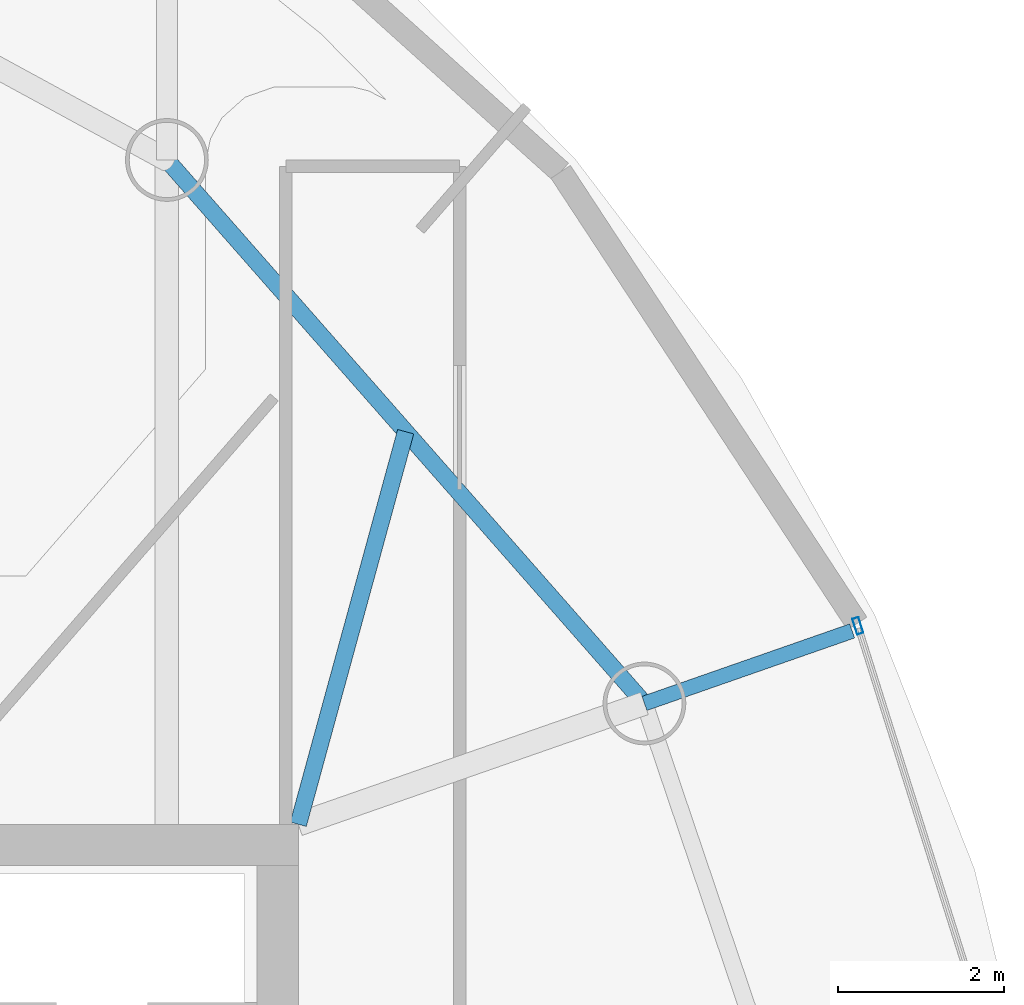
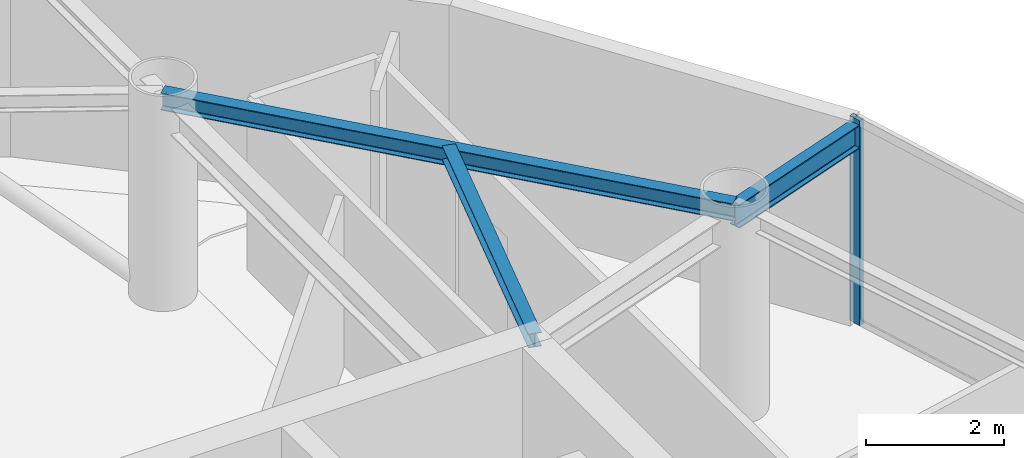
# One storey, part 12 of 19: 3 beams, 1 member, 1 element without a shape of its own.
"""IFC4 building model written with IfcOpenShell, lengths in metres."""

from ifc_helpers import new_model, si_unit, direction, frame, origin, origin_2d, place, context, subcontext, project, spatial, hollow_rectangle, i_section, extrude, material, layer, layer_set, material_profile, profile_set, type_object, element, aggregate, save


model = new_model("IFC4")

# Units and contexts
model_context = context("Model", 3, precision=1e-05, world=origin(), true_north=direction((0.0, 1.0)))
body_context = subcontext(model_context, "Body", "Model", "MODEL_VIEW")
ifc_project = project(units=[si_unit("LENGTHUNIT", "METRE"), si_unit("AREAUNIT", "SQUARE_METRE"), si_unit("VOLUMEUNIT", "CUBIC_METRE"), si_unit("PLANEANGLEUNIT", "RADIAN"), si_unit("MASSUNIT", "GRAM", prefix="KILO")], contexts=[model_context])

# Site, building, storey
site_placement = place(None, origin())
site = spatial("IfcSite", under=ifc_project, at=site_placement, CompositionType="ELEMENT")
building_placement = place(site_placement, origin())
building = spatial("IfcBuilding", under=site, at=building_placement, Name="Bramvorn Convention Spire", CompositionType="ELEMENT")
storey_placement = place(building_placement, frame((0.0, 0.0, 292.10009765625)))
storey = spatial("IfcBuildingStorey", under=building, at=storey_placement, Name="L74", CompositionType="ELEMENT", Elevation=292.10009765625)

# Beams
ifc_material_1 = material(Name="Steel CSA G40.21 Grade 350 (350W)", Category="steel")
ifc_material_profile_1 = material_profile(ifc_material_1, i_section(OverallWidth=0.201904296875, OverallDepth=0.2470703125, WebThickness=0.00732421875, FlangeThickness=0.010986328125, FilletRadius=0.011962890625, at=origin_2d()))
ifc_profile_set_1 = profile_set([ifc_material_profile_1], Name="Steel CSA G40.21 Grade 350 (350W) - W250X49")
beam_type_1 = type_object("IfcBeamType", Name="BM-W250X49", PredefinedType="JOIST", material=ifc_profile_set_1)
beam_1_placement = place(storey_placement, frame((49.25, 33.449951171875, 3.50146484375), z_axis=(0.26386506219, 0.96455960363, 0.0), x_axis=(-0.96455960363, 0.26386506219, 0.0)))
element("IfcBeam", 1, at=beam_1_placement, inside=storey, type_object=beam_type_1, Name="L74 composite floor joist 05", PredefinedType="JOIST", context=body_context, shape_type="SweptSolid", body=[
    extrude(i_section(OverallWidth=0.201904296875, OverallDepth=0.2470703125, WebThickness=0.00732421875, FlangeThickness=0.010986328125, FilletRadius=0.011962890625, at=origin_2d()), origin(), (0.0, 0.0, 1.0), 4.917724609375),
])
ifc_material_profile_2 = material_profile(ifc_material_1, i_section(OverallWidth=0.202880859375, OverallDepth=0.302978515625, WebThickness=0.007568359375, FlangeThickness=0.01318359375, FilletRadius=0.013916015625, at=origin_2d()))
ifc_profile_set_2 = profile_set([ifc_material_profile_2], Name="Steel CSA G40.21 Grade 350 (350W) - W310X60")
beam_type_2 = type_object("IfcBeamType", Name="BM-W310X60", PredefinedType="JOIST", material=ifc_profile_set_2)
beam_2_placement = place(storey_placement, frame((53.4326171875, 34.909912109375, 3.473388671875), z_axis=(-0.660073062339, 0.751201405999, 0.0), x_axis=(-0.751201405999, -0.660073062339, 0.0)))
element("IfcBeam", 2, at=beam_2_placement, inside=storey, type_object=beam_type_2, Name="L74 mega-column ring beam 05", PredefinedType="JOIST", context=body_context, shape_type="SweptSolid", body=[
    extrude(i_section(OverallWidth=0.202880859375, OverallDepth=0.302978515625, WebThickness=0.007568359375, FlangeThickness=0.01318359375, FilletRadius=0.013916015625, at=origin_2d()), origin(), (0.0, 0.0, 1.0), 8.741943359375),
])
ifc_material_profile_3 = material_profile(ifc_material_1, i_section(OverallWidth=0.180908203125, OverallDepth=0.4169921875, WebThickness=0.010986328125, FlangeThickness=0.018310546875, FilletRadius=0.01611328125, at=origin_2d()))
ifc_profile_set_3 = profile_set([ifc_material_profile_3], Name="Steel CSA G40.21 Grade 350 (350W) - W410X85")
beam_type_3 = type_object("IfcBeamType", Name="BM-W410X85", PredefinedType="JOIST", material=ifc_profile_set_3)
beam_3_placement = place(storey_placement, frame((53.4326171875, 34.909912109375, 3.37646484375), z_axis=(0.944115794013, 0.329613967385, 0.0), x_axis=(-0.329613967385, 0.944115794013, 0.0)))
element("IfcBeam", 3, at=beam_3_placement, inside=storey, type_object=beam_type_3, Name="L74 Sky-Garden cantilever tip girder MC05", PredefinedType="JOIST", context=body_context, shape_type="SweptSolid", body=[
    extrude(i_section(OverallWidth=0.180908203125, OverallDepth=0.4169921875, WebThickness=0.010986328125, FlangeThickness=0.018310546875, FilletRadius=0.01611328125, at=origin_2d()), origin(), (0.0, 0.0, 1.0), 2.658203125),
])

# Curtain wall, member
ifc_material_2 = material(Name="Anodised Bronze Unitised Curtain Wall", Category="aluminium")
ifc_layer = layer(ifc_material_2, 0.179931640625)
ifc_layer_set = layer_set([ifc_layer], Name="Anodised Bronze Unitised Curtain Wall - CW-OFF-FRIT")
curtain_wall_type = type_object("IfcCurtainWallType", Name="CW-OFF-FRIT", PredefinedType="USERDEFINED", material=ifc_layer_set)
curtain_wall_placement = place(storey_placement, origin())
curtain_wall = element("IfcCurtainWall", 4, at=curtain_wall_placement, inside=storey, type_object=curtain_wall_type, Name="L74 fritted glass curtain wall 06", ObjectType="UNITISED CURTAIN WALL", PredefinedType="USERDEFINED")
ifc_material_3 = material(Name="Anodised Bronze Aluminium 6063-T6", Category="aluminium")
ifc_material_profile_4 = material_profile(ifc_material_3, hollow_rectangle(XDim=0.080078125, YDim=0.199951171875, WallThickness=0.00390625, InnerFilletRadius=0.0009765625, OuterFilletRadius=0.00390625, at=origin_2d()))
ifc_profile_set_4 = profile_set([ifc_material_profile_4], Name="Anodised Bronze Aluminium 6063-T6 - CWM80X200")
member_type = type_object("IfcMemberType", Name="CW-MUL-180", PredefinedType="MULLION", material=ifc_profile_set_4)
member_placement = place(storey_placement, frame((56.01123046875, 35.847900390625, 0.0), z_axis=(0.0, 0.0, 1.0), x_axis=(0.953619475094, 0.301014778245, 0.0)))
member = element("IfcMember", 5, at=member_placement, type_object=member_type, Name="CW3 mullion 1", PredefinedType="MULLION", context=body_context, shape_type="SweptSolid", body=[
    extrude(hollow_rectangle(XDim=0.080078125, YDim=0.199951171875, WallThickness=0.00390625, InnerFilletRadius=0.0009765625, OuterFilletRadius=0.00390625, at=origin_2d()), origin(), (0.0, 0.0, 1.0), 3.625),
])
aggregate(curtain_wall, [member])

save(model, "model.ifc")
